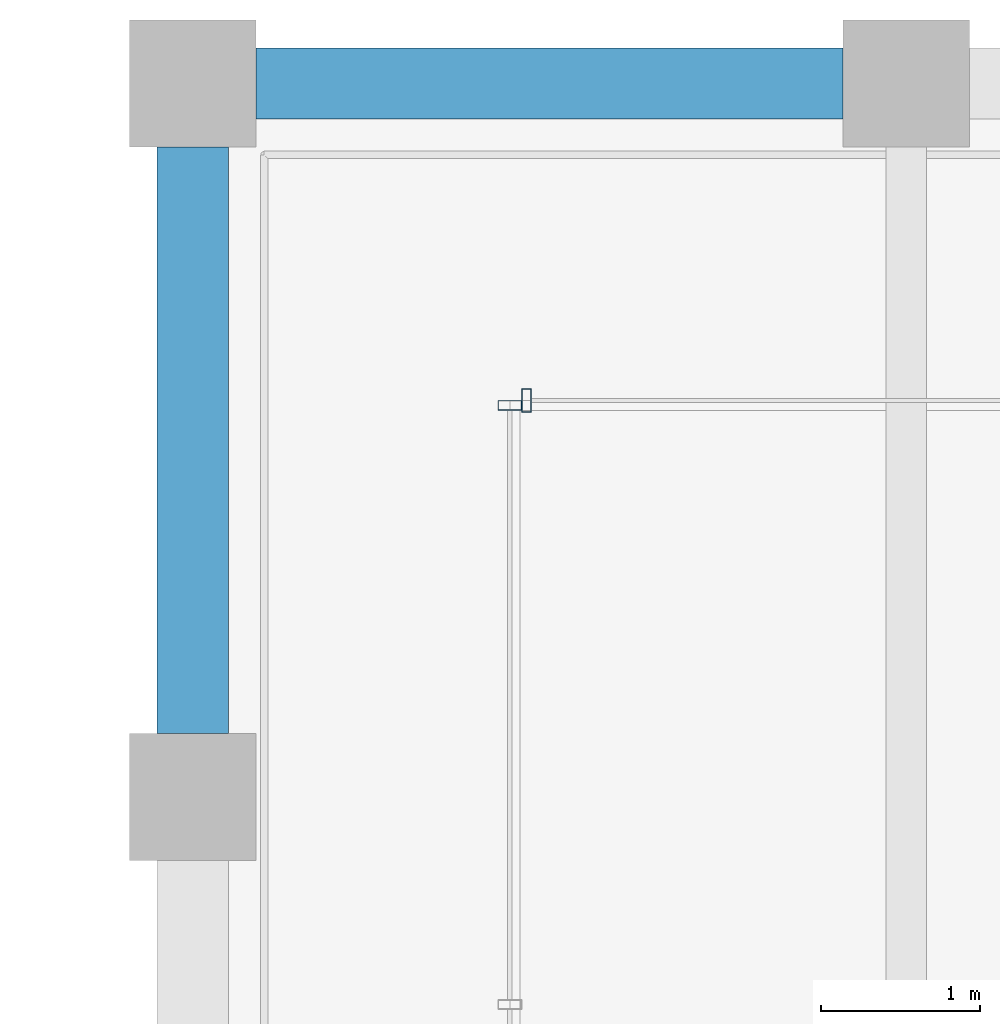
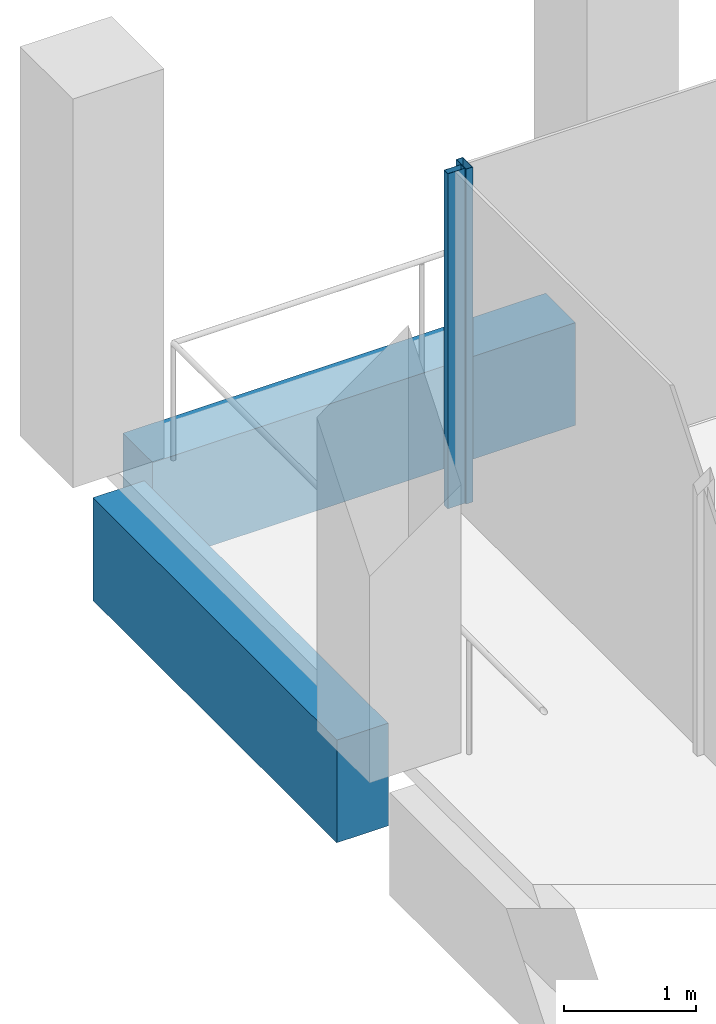
# One storey, part 21 of 30: 2 beams, 2 members, 2 elements without a shape of their own.
"""IFC4 building model written with IfcOpenShell, lengths in metres."""

from ifc_helpers import new_model, si_unit, direction, frame, origin, origin_2d, place, context, subcontext, project, spatial, rectangle, hollow_rectangle, extrude, material, material_profile, profile_set, type_object, element, aggregate, save


model = new_model("IFC4")

# Units and contexts
model_context = context("Model", 3, precision=1e-05, world=origin(), true_north=direction((0.0, 1.0)))
body_context = subcontext(model_context, "Body", "Model", "MODEL_VIEW")
ifc_project = project(units=[si_unit("LENGTHUNIT", "METRE"), si_unit("AREAUNIT", "SQUARE_METRE"), si_unit("VOLUMEUNIT", "CUBIC_METRE"), si_unit("PLANEANGLEUNIT", "RADIAN"), si_unit("MASSUNIT", "GRAM", prefix="KILO")], contexts=[model_context])

# Site, building, storey
site_placement = place(None, origin())
site = spatial("IfcSite", under=ifc_project, at=site_placement, CompositionType="ELEMENT")
building_placement = place(site_placement, origin())
building = spatial("IfcBuilding", under=site, at=building_placement, Name="Altepetl Exchange Towers", CompositionType="ELEMENT")
storey_placement = place(building_placement, frame((0.0, 0.0, 213.60009765625)))
storey = spatial("IfcBuildingStorey", under=building, at=storey_placement, Name="L54", CompositionType="ELEMENT", Elevation=213.60009765625)

# Curtain wall, member
ifc_material_1 = material(Name="Aluminium 6063-T6 glazing", Category="aluminium")
curtain_wall_type = type_object("IfcCurtainWallType", Name="Loggia glazing system", PredefinedType="NOTDEFINED", material=ifc_material_1)
curtain_wall_1_placement = place(storey_placement, origin())
curtain_wall_1 = element("IfcCurtainWall", 1, at=curtain_wall_1_placement, inside=storey, type_object=curtain_wall_type, Name="CW1 run", PredefinedType="NOTDEFINED")
ifc_material_2 = material(Name="Aluminium 6063-T6", Category="aluminium")
ifc_material_profile_1 = material_profile(ifc_material_2, hollow_rectangle(XDim=0.06005859375, YDim=0.14990234375, WallThickness=0.0029296875, at=origin_2d()), Name="Mullion 60x150 aluminium")
ifc_profile_set_1 = profile_set([ifc_material_profile_1], Name="Aluminium 6063-T6")
member_type = type_object("IfcMemberType", Name="Mullion 60x150 aluminium", PredefinedType="MULLION", material=ifc_profile_set_1)
member_1_placement = place(storey_placement, frame((42.60498046875, 70.0, 0.0), z_axis=(0.0, 0.0, 1.0), x_axis=(-1.0, 0.0, 0.0)))
member_1 = element("IfcMember", 2, at=member_1_placement, type_object=member_type, Name="MU1 mullion", PredefinedType="MULLION", context=body_context, shape_type="SweptSolid", body=[
    extrude(hollow_rectangle(XDim=0.06005859375, YDim=0.14990234375, WallThickness=0.0029296875, at=origin_2d()), origin(), (0.0, 0.0, 1.0), 3.099853515625),
])
aggregate(curtain_wall_1, [member_1])

curtain_wall_2_placement = place(storey_placement, origin())
curtain_wall_2 = element("IfcCurtainWall", 3, at=curtain_wall_2_placement, inside=storey, type_object=curtain_wall_type, Name="CW1 run", PredefinedType="NOTDEFINED")
member_2_placement = place(storey_placement, frame((42.5, 69.969970703125, 0.0), z_axis=(0.0, 0.0, 1.0), x_axis=(0.0, -1.0, 0.0)))
member_2 = element("IfcMember", 4, at=member_2_placement, type_object=member_type, Name="MU1 mullion", PredefinedType="MULLION", context=body_context, shape_type="SweptSolid", body=[
    extrude(hollow_rectangle(XDim=0.06005859375, YDim=0.14990234375, WallThickness=0.0029296875, at=origin_2d()), origin(), (0.0, 0.0, 1.0), 3.099853515625),
])
aggregate(curtain_wall_2, [member_2])

# Beams
ifc_material_3 = material(Name="Concrete C50/60 precast with cantera rosa facing", Category="concrete")
ifc_material_profile_2 = material_profile(ifc_material_3, rectangle(XDim=0.449951171875, YDim=0.949951171875, at=origin_2d()), Name="450 x 950")
ifc_profile_set_2 = profile_set([ifc_material_profile_2], Name="Concrete C50/60 precast with cantera rosa facing")
beam_type_1 = type_object("IfcBeamType", Name="Spandrel beam 450x950 cantera rosa", PredefinedType="SPANDREL", material=ifc_profile_set_2)
beam_1_placement = place(storey_placement, frame((44.60009765625, 72.0, -0.625), z_axis=(-1.0, 0.0, 0.0), x_axis=(0.0, -1.0, 0.0)))
element("IfcBeam", 5, at=beam_1_placement, inside=storey, type_object=beam_type_1, Name="sp:A:L54:029", PredefinedType="SPANDREL", context=body_context, shape_type="SweptSolid", body=[
    extrude(rectangle(XDim=0.449951171875, YDim=0.949951171875, at=origin_2d()), origin(), (0.0, 0.0, 1.0), 3.7001953125),
])
ifc_material_4 = material(Name="Concrete C50/60 precast with tezontle facing", Category="concrete")
ifc_material_profile_3 = material_profile(ifc_material_4, rectangle(XDim=0.449951171875, YDim=0.949951171875, at=origin_2d()), Name="450 x 950")
ifc_profile_set_3 = profile_set([ifc_material_profile_3], Name="Concrete C50/60 precast with tezontle facing")
beam_type_2 = type_object("IfcBeamType", Name="Spandrel beam 450x950 tezontle", PredefinedType="SPANDREL", material=ifc_profile_set_3)
beam_2_placement = place(storey_placement, frame((40.5, 71.60009765625, -0.625), z_axis=(0.0, -1.0, 0.0), x_axis=(1.0, 0.0, 0.0)))
element("IfcBeam", 6, at=beam_2_placement, inside=storey, type_object=beam_type_2, Name="sp:A:L54:030", PredefinedType="SPANDREL", context=body_context, shape_type="SweptSolid", body=[
    extrude(rectangle(XDim=0.449951171875, YDim=0.949951171875, at=origin_2d()), origin(), (0.0, 0.0, 1.0), 3.7001953125),
])

save(model, "model.ifc")
